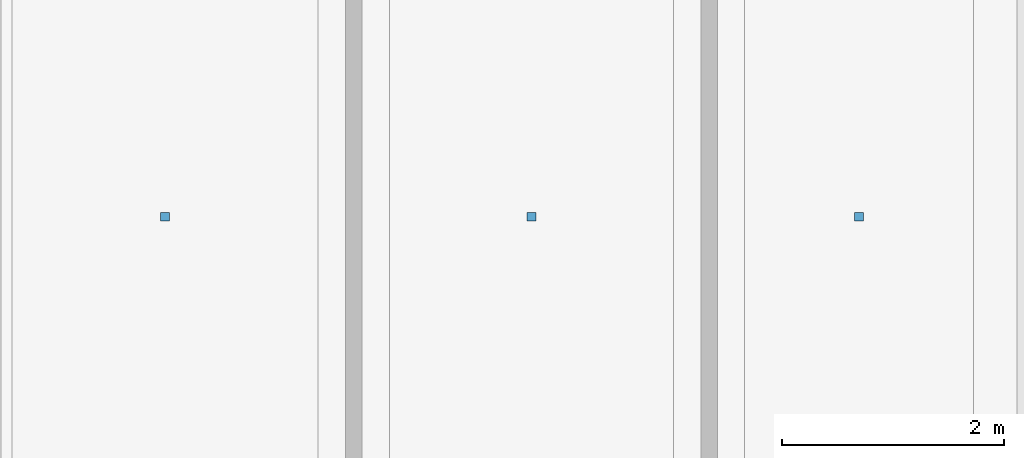
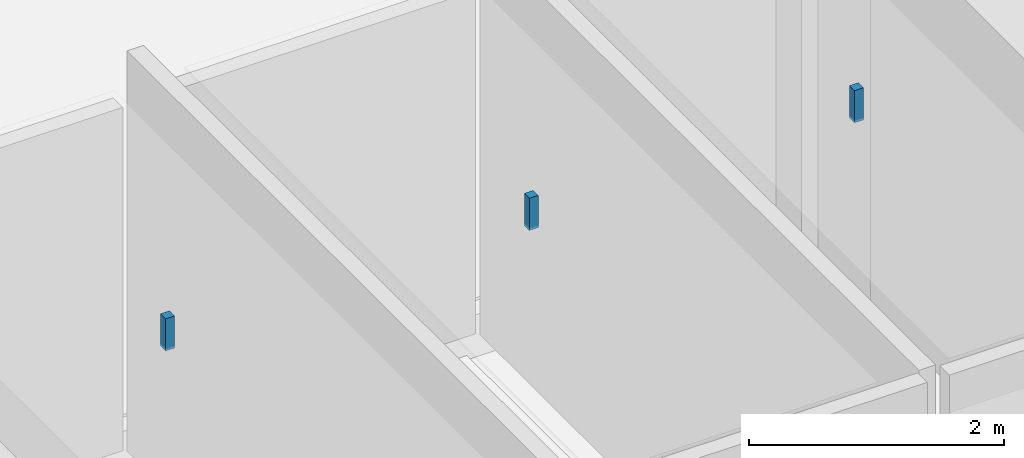
# One storey, part 28 of 31: 3 discrete accessories.
"""IFC4 building model written with IfcOpenShell, lengths in metres."""

import ifcopenshell
import ifcopenshell.guid

model = None  # the IFC model being written
_history = None  # IfcOwnerHistory: only IFC2X3 demands one
_inside = {}  # id of a spatial element -> (the spatial element, [elements in it])
_under = {}  # id of a project, library or spatial element -> (it, [spatial elements below it])
_declared = {}  # id of a project -> (the project, [libraries it declares])
_typed = {}  # id of a type object -> (the type object, [elements of that type])
_made_of = {}  # id of a material, layer set ... -> (it, [elements and type objects made of it])


def new_model(schema):
    """Start an empty IFC model of exactly this schema.

    Asked for "IFC4X3", IfcOpenShell would pick the latest addendum, in which some entities
    have other attributes; the version numbers below select the first issue.
    IFC2X3 requires an IfcOwnerHistory on every rooted entity: one is made here for all.
    """
    global model, _history
    if schema == "IFC4X3":
        model = ifcopenshell.file(schema_version=(4, 3, 0, 0))
    else:
        model = ifcopenshell.file(schema=schema)
    _inside.clear()
    _under.clear()
    _declared.clear()
    _typed.clear()
    _made_of.clear()
    _history = None
    if model.schema == "IFC2X3":
        org = make("IfcOrganization", Name="unknown")
        user = make(
            "IfcPersonAndOrganization",
            ThePerson=make("IfcPerson", FamilyName="unknown"),
            TheOrganization=org,
        )
        app = make(
            "IfcApplication",
            ApplicationDeveloper=org,
            Version="unknown",
            ApplicationFullName="unknown",
            ApplicationIdentifier="unknown",
        )
        _history = make(
            "IfcOwnerHistory",
            OwningUser=user,
            OwningApplication=app,
            ChangeAction="ADDED",
            CreationDate=0,
        )
    return model


def make(cls, **values):
    """One entity of the class cls with the attributes given. An attribute that is None is left unset."""
    return model.create_entity(
        cls, **{name: value for name, value in values.items() if value is not None}
    )


def rooted(cls, **values):
    """An entity with a GlobalId (a new one), such as an element, a storey or a relation."""
    return make(cls, GlobalId=ifcopenshell.guid.new(), OwnerHistory=_history, **values)


def si_unit(unit_type, name, prefix=None):
    """IfcSIUnit, for example si_unit("LENGTHUNIT", "METRE", prefix="MILLI")."""
    return make("IfcSIUnit", UnitType=unit_type, Prefix=prefix, Name=name)


def assignment(units):
    """IfcUnitAssignment: the units of a project."""
    return None if units is None else make("IfcUnitAssignment", Units=units)


def point(xyz):
    """IfcCartesianPoint."""
    return None if xyz is None else make("IfcCartesianPoint", Coordinates=xyz)


def direction(xyz):
    """IfcDirection."""
    return None if xyz is None else make("IfcDirection", DirectionRatios=xyz)


def frame(location, z_axis=None, x_axis=None):
    """IfcAxis2Placement3D, a coordinate frame: its origin and axes. An axis left out is left unset."""
    return make(
        "IfcAxis2Placement3D",
        Location=point(location),
        Axis=direction(z_axis),
        RefDirection=direction(x_axis),
    )


def frame_2d(location, x_axis=None):
    """IfcAxis2Placement2D, a coordinate frame in the plane: its origin and x axis."""
    return make(
        "IfcAxis2Placement2D", Location=point(location), RefDirection=direction(x_axis)
    )


def origin():
    """The frame at (0, 0, 0) with its axes left unset."""
    return frame((0.0, 0.0, 0.0))


def origin_2d():
    """The frame at (0, 0) in the plane with its x axis left unset."""
    return frame_2d((0.0, 0.0))


def place(relative_to, where):
    """IfcLocalPlacement: puts the frame where relative to a parent placement (None: the world)."""
    return make(
        "IfcLocalPlacement", PlacementRelTo=relative_to, RelativePlacement=where
    )


def context(
    kind, dimensions, precision=None, world=None, true_north=None, identifier=None
):
    """IfcGeometricRepresentationContext, for example the 3D "Model" context."""
    return make(
        "IfcGeometricRepresentationContext",
        ContextIdentifier=identifier,
        ContextType=kind,
        CoordinateSpaceDimension=dimensions,
        Precision=precision,
        WorldCoordinateSystem=world,
        TrueNorth=true_north,
    )


def subcontext(parent, identifier, kind, view, scale=None):
    """IfcGeometricRepresentationSubContext, for example "Body" below "Model"."""
    return make(
        "IfcGeometricRepresentationSubContext",
        ContextIdentifier=identifier,
        ContextType=kind,
        ParentContext=parent,
        TargetScale=scale,
        TargetView=view,
    )


def project(units=None, contexts=None):
    """IfcProject with its units and contexts."""
    return rooted(
        "IfcProject",
        Name="project",
        RepresentationContexts=contexts,
        UnitsInContext=assignment(units),
    )


def spatial(cls, under=None, at=None, **own):
    """A site, building, storey or space (cls), placed at a placement, below another one or the project."""
    s = rooted(cls, ObjectPlacement=at, **own)
    if under is not None:
        _under.setdefault(under.id(), (under, []))[1].append(s)
    return s


def profile(cls, at=None, kind="AREA", **sizes):
    """A parametric profile (cls). Its sizes go by their IFC names, for example OverallWidth=200.0."""
    return make(cls, ProfileType=kind, Position=at, **sizes)


def rectangle(**sizes):
    """IfcRectangleProfileDef."""
    return profile("IfcRectangleProfileDef", **sizes)


def extrude(swept, where, along, depth):
    """IfcExtrudedAreaSolid: the profile swept, set in the frame where, extruded along a direction by depth."""
    return make(
        "IfcExtrudedAreaSolid",
        SweptArea=swept,
        Position=where,
        ExtrudedDirection=direction(along),
        Depth=depth,
    )


def shape(context_of_items, identifier, shape_type, items):
    """IfcShapeRepresentation: the items that make up one representation, for example the "Body"."""
    return make(
        "IfcShapeRepresentation",
        ContextOfItems=context_of_items,
        RepresentationIdentifier=identifier,
        RepresentationType=shape_type,
        Items=items,
    )


def material(Name=None, Category=None):
    """IfcMaterial."""
    return make("IfcMaterial", Name=Name, Category=Category)


def made_of(thing, what):
    """Note that an element or type object is made of a material, layer set ...; save() writes the relation."""
    if what is not None:
        _made_of.setdefault(what.id(), (what, []))[1].append(thing)
    return thing


def type_object(cls, material=None, **own):
    """A type object (cls), such as IfcWallType, which elements share."""
    return made_of(rooted(cls, **own), material)


def element(
    cls,
    number,
    at=None,
    inside=None,
    cuts=None,
    type_object=None,
    material=None,
    context=None,
    identifier="Body",
    shape_type=None,
    held_by="IfcProductDefinitionShape",
    body=None,
    shapes=None,
    **own,
):
    """One element of the class cls, such as IfcWall. Its Tag is "e" and its number.

    at: its placement. inside: the storey or other place that contains it. cuts: it is an
    opening in that element (IfcRelVoidsElement). A single representation is given by context,
    identifier, shape_type and body (its items); several are given by shapes. held_by: the class
    of the entity that holds the representations. save() writes the other relations.
    """
    e = rooted(cls, Tag="e%d" % number, ObjectPlacement=at, **own)
    if body is not None:
        shapes = [shape(context, identifier, shape_type, body)]
    if shapes is not None:
        e.Representation = make(held_by, Representations=shapes)
    if inside is not None:
        _inside.setdefault(inside.id(), (inside, []))[1].append(e)
    if cuts is not None:
        rooted(
            "IfcRelVoidsElement", RelatingBuildingElement=cuts, RelatedOpeningElement=e
        )
    if type_object is not None:
        _typed.setdefault(type_object.id(), (type_object, []))[1].append(e)
    return made_of(e, material)


def aggregate(whole, parts):
    """IfcRelAggregates: a whole, such as a stair, and the parts it consists of."""
    return rooted("IfcRelAggregates", RelatingObject=whole, RelatedObjects=parts)


def save(model, path):
    """Write the relations noted so far, then the file.

    IfcRelAggregates (storeys below a building ...), IfcRelContainedInSpatialStructure (elements
    in a storey), IfcRelDefinesByType, IfcRelAssociatesMaterial and IfcRelDeclares: one each for
    every whole, place, type object, material and project.
    """
    for whole, parts in _under.values():
        aggregate(whole, parts)
    for where, things in _inside.values():
        rooted(
            "IfcRelContainedInSpatialStructure",
            RelatedElements=things,
            RelatingStructure=where,
        )
    for kind, things in _typed.values():
        rooted("IfcRelDefinesByType", RelatedObjects=things, RelatingType=kind)
    for what, things in _made_of.values():
        rooted("IfcRelAssociatesMaterial", RelatedObjects=things, RelatingMaterial=what)
    for by, libraries in _declared.values():
        rooted("IfcRelDeclares", RelatingContext=by, RelatedDefinitions=libraries)
    model.write(path)


model = new_model("IFC4")

# Units and contexts
model_context = context("Model", 3, precision=1e-05, world=origin(), true_north=direction((0.0, 1.0)))
body_context = subcontext(model_context, "Body", "Model", "MODEL_VIEW")
ifc_project = project(units=[si_unit("LENGTHUNIT", "METRE"), si_unit("AREAUNIT", "SQUARE_METRE"), si_unit("VOLUMEUNIT", "CUBIC_METRE"), si_unit("PLANEANGLEUNIT", "RADIAN"), si_unit("MASSUNIT", "GRAM", prefix="KILO")], contexts=[model_context])

# Site, building, storey
site_placement = place(None, origin())
site = spatial("IfcSite", under=ifc_project, at=site_placement, CompositionType="ELEMENT")
building_placement = place(site_placement, origin())
building = spatial("IfcBuilding", under=site, at=building_placement, Name="Chalmorin Arch Market", CompositionType="ELEMENT")
storey_placement = place(building_placement, frame((0.0, 0.0, -4.199951171875)))
storey = spatial("IfcBuildingStorey", under=building, at=storey_placement, Name="B1", CompositionType="ELEMENT", Elevation=-4.199951171875)

# Discrete accessories
ifc_material = material(Name="Galvanized Cold-Formed Steel", Category="steel")
discrete_accessory_type = type_object("IfcDiscreteAccessoryType", Name="CeilingSuspensionBracket-80x80", PredefinedType="BRACKET", material=ifc_material)
for number, where, z_axis, x_axis, name in (
    (1, (107.300048828125, 97.35009765625, 3.661865234375), (0.0, 0.0, 1.0), (1.0, 0.0, 0.0), "CSB-035"),
    (2, (110.60009765625, 97.35009765625, 3.661865234375), (0.0, 0.0, 1.0), (1.0, 0.0, 0.0), "CSB-037"),
    (3, (113.550048828125, 97.35009765625, 3.661865234375), (0.0, 0.0, 1.0), (1.0, 0.0, 0.0), "CSB-039"),
):
    element("IfcDiscreteAccessory", number, at=place(storey_placement, frame(where, z_axis=z_axis, x_axis=x_axis)), inside=storey, type_object=discrete_accessory_type, Name=name, PredefinedType="BRACKET", context=body_context, shape_type="SweptSolid", body=[
        extrude(rectangle(XDim=0.080078125, YDim=0.080078125, at=origin_2d()), origin(), (0.0, 0.0, 1.0), 0.30810546875),
    ])

save(model, "model.ifc")
